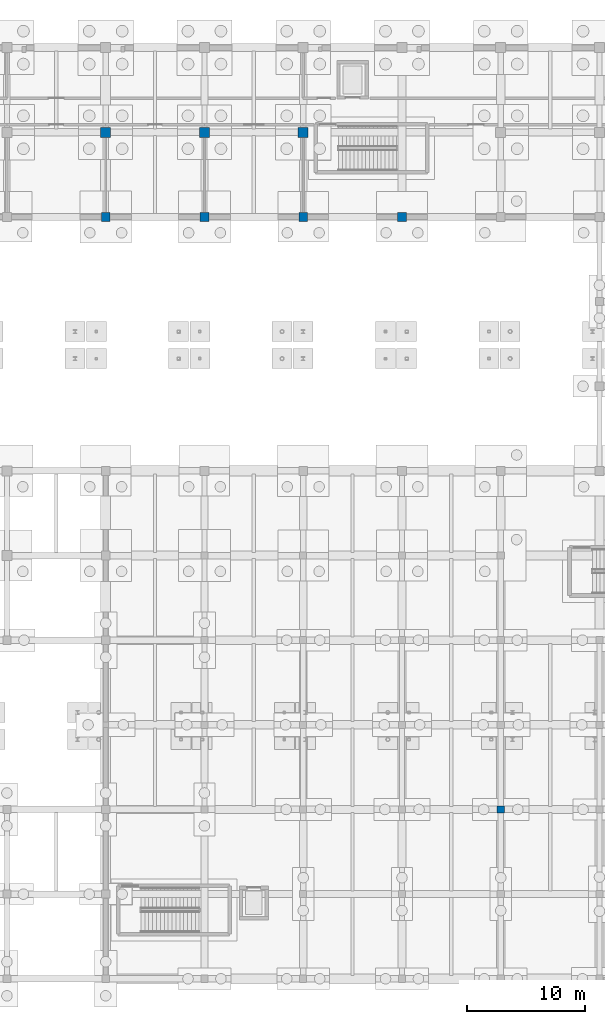
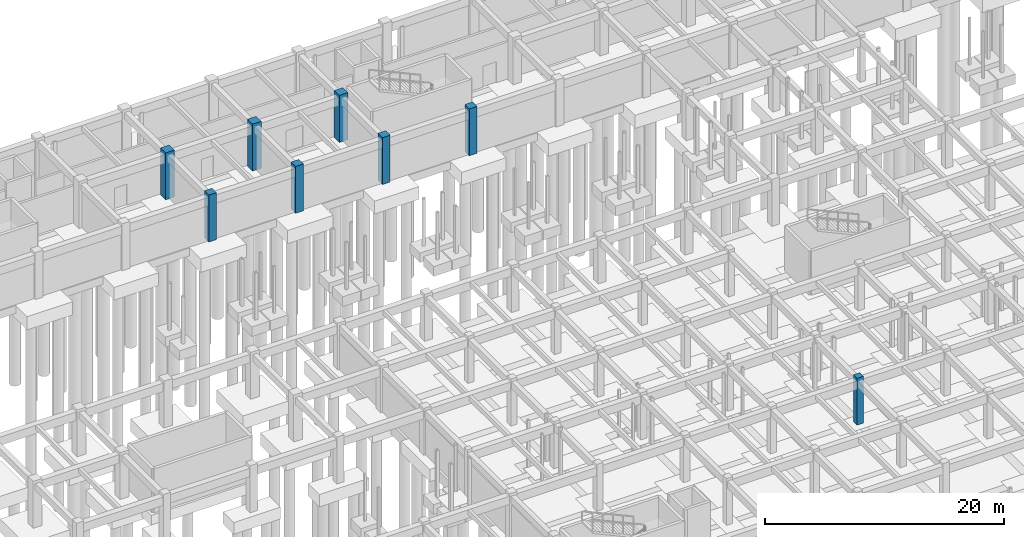
# One storey, part 33 of 80: 8 columns.
"""IFC4 building model written with IfcOpenShell, lengths in metres."""

from ifc_helpers import new_model, si_unit, direction, frame, origin, origin_2d, place, context, subcontext, project, spatial, rectangle, extrude, material, material_profile, profile_set, type_object, element, save


model = new_model("IFC4")

# Units and contexts
model_context = context("Model", 3, precision=1e-05, world=origin(), true_north=direction((0.0, 1.0)))
body_context = subcontext(model_context, "Body", "Model", "MODEL_VIEW")
ifc_project = project(units=[si_unit("LENGTHUNIT", "METRE"), si_unit("AREAUNIT", "SQUARE_METRE"), si_unit("VOLUMEUNIT", "CUBIC_METRE"), si_unit("PLANEANGLEUNIT", "RADIAN"), si_unit("MASSUNIT", "GRAM", prefix="KILO")], contexts=[model_context])

# Site, building, storey
site_placement = place(None, origin())
site = spatial("IfcSite", under=ifc_project, at=site_placement, CompositionType="ELEMENT")
building_placement = place(site_placement, origin())
building = spatial("IfcBuilding", under=site, at=building_placement, Name="Malvenik Polytechnic", CompositionType="ELEMENT")
storey_placement = place(building_placement, frame((0.0, 0.0, -4.800048828125)))
storey = spatial("IfcBuildingStorey", under=building, at=storey_placement, Name="B1", CompositionType="ELEMENT", Elevation=-4.800048828125)

# Columns
ifc_material_1 = material(Name="Concrete C40/50", Category="concrete")
ifc_material_profile_1 = material_profile(ifc_material_1, rectangle(XDim=0.85009765625, YDim=0.85009765625, at=origin_2d()), Name="RC COL 850x850")
ifc_profile_set_1 = profile_set([ifc_material_profile_1], Name="Concrete C40/50")
column_type_1 = type_object("IfcColumnType", Name="STR-COL-C-01", PredefinedType="COLUMN", material=ifc_profile_set_1)
for number, where, z_axis, x_axis, name in (
    (1, (33.60009765625, 122.39990234375, 0.0), (0.0, 0.0, 1.0), (1.0, 0.0, 0.0), "Column C-01 B1 (33.6,122.4)"),
    (2, (42.0, 122.39990234375, 0.0), (0.0, 0.0, 1.0), (1.0, 0.0, 0.0), "Column C-01 B1 (42.0,122.4)"),
    (3, (50.39990234375, 122.39990234375, 0.0), (0.0, 0.0, 1.0), (1.0, 0.0, 0.0), "Column C-01 B1 (50.4,122.4)"),
):
    element("IfcColumn", number, at=place(storey_placement, frame(where, z_axis=z_axis, x_axis=x_axis)), inside=storey, type_object=column_type_1, Name=name, PredefinedType="COLUMN", context=body_context, shape_type="SweptSolid", body=[
        extrude(rectangle(XDim=0.85009765625, YDim=0.85009765625, at=origin_2d()), origin(), (0.0, 0.0, 1.0), 4.800048828125),
    ])
ifc_material_profile_2 = material_profile(ifc_material_1, rectangle(XDim=0.75, YDim=0.75, at=origin_2d()), Name="RC COL 750x750")
ifc_profile_set_2 = profile_set([ifc_material_profile_2], Name="Concrete C40/50")
column_type_2 = type_object("IfcColumnType", Name="STR-COL-C-03", PredefinedType="COLUMN", material=ifc_profile_set_2)
for number, where, z_axis, x_axis, name in (
    (4, (33.60009765625, 115.199951171875, 0.0), (0.0, 0.0, 1.0), (1.0, 0.0, 0.0), "Column C-03 B1 (33.6,115.2)"),
    (5, (42.0, 115.199951171875, 0.0), (0.0, 0.0, 1.0), (1.0, 0.0, 0.0), "Column C-03 B1 (42.0,115.2)"),
    (6, (50.39990234375, 115.199951171875, 0.0), (0.0, 0.0, 1.0), (1.0, 0.0, 0.0), "Column C-03 B1 (50.4,115.2)"),
    (7, (58.800048828125, 115.199951171875, 0.0), (0.0, 0.0, 1.0), (1.0, 0.0, 0.0), "Column C-03 B1 (58.8,115.2)"),
):
    element("IfcColumn", number, at=place(storey_placement, frame(where, z_axis=z_axis, x_axis=x_axis)), inside=storey, type_object=column_type_2, Name=name, PredefinedType="COLUMN", context=body_context, shape_type="SweptSolid", body=[
        extrude(rectangle(XDim=0.75, YDim=0.75, at=origin_2d()), origin(), (0.0, 0.0, 1.0), 4.800048828125),
    ])
ifc_material_2 = material(Name="Concrete C35/45", Category="concrete")
ifc_material_profile_3 = material_profile(ifc_material_2, rectangle(XDim=0.60009765625, YDim=0.60009765625, at=origin_2d()), Name="RC COL 600x600")
ifc_profile_set_3 = profile_set([ifc_material_profile_3], Name="Concrete C35/45")
column_type_3 = type_object("IfcColumnType", Name="STR-COL-C-06", PredefinedType="COLUMN", material=ifc_profile_set_3)
column_placement = place(storey_placement, frame((67.199951171875, 64.800048828125, 0.0), z_axis=(0.0, 0.0, 1.0), x_axis=(1.0, 0.0, 0.0)))
element("IfcColumn", 8, at=column_placement, inside=storey, type_object=column_type_3, Name="Column C-06 B1 (67.2,64.8)", PredefinedType="COLUMN", context=body_context, shape_type="SweptSolid", body=[
    extrude(rectangle(XDim=0.60009765625, YDim=0.60009765625, at=origin_2d()), origin(), (0.0, 0.0, 1.0), 4.800048828125),
])

save(model, "model.ifc")
